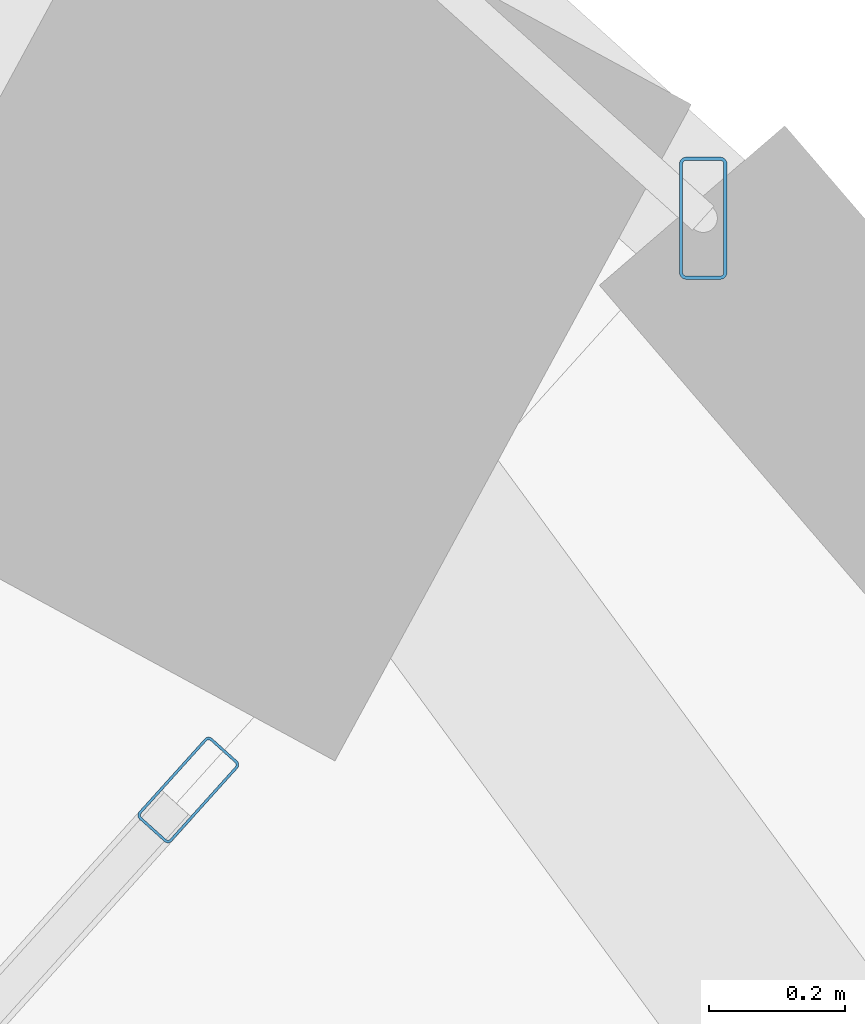
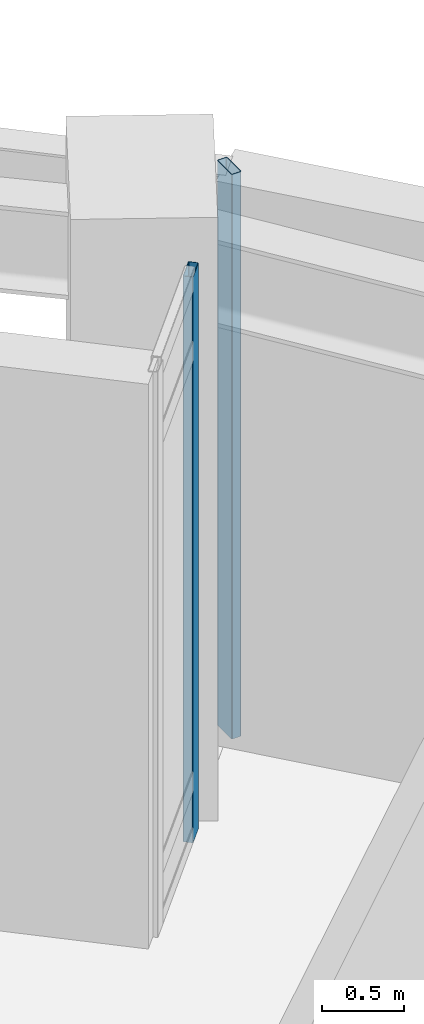
# One storey, part 8 of 19: 2 members, 1 element without a shape of its own.
"""IFC4 building model written with IfcOpenShell, lengths in metres."""

import ifcopenshell
import ifcopenshell.guid

model = None  # the IFC model being written
_history = None  # IfcOwnerHistory: only IFC2X3 demands one
_inside = {}  # id of a spatial element -> (the spatial element, [elements in it])
_under = {}  # id of a project, library or spatial element -> (it, [spatial elements below it])
_declared = {}  # id of a project -> (the project, [libraries it declares])
_typed = {}  # id of a type object -> (the type object, [elements of that type])
_made_of = {}  # id of a material, layer set ... -> (it, [elements and type objects made of it])


def new_model(schema):
    """Start an empty IFC model of exactly this schema.

    Asked for "IFC4X3", IfcOpenShell would pick the latest addendum, in which some entities
    have other attributes; the version numbers below select the first issue.
    IFC2X3 requires an IfcOwnerHistory on every rooted entity: one is made here for all.
    """
    global model, _history
    if schema == "IFC4X3":
        model = ifcopenshell.file(schema_version=(4, 3, 0, 0))
    else:
        model = ifcopenshell.file(schema=schema)
    _inside.clear()
    _under.clear()
    _declared.clear()
    _typed.clear()
    _made_of.clear()
    _history = None
    if model.schema == "IFC2X3":
        org = make("IfcOrganization", Name="unknown")
        user = make(
            "IfcPersonAndOrganization",
            ThePerson=make("IfcPerson", FamilyName="unknown"),
            TheOrganization=org,
        )
        app = make(
            "IfcApplication",
            ApplicationDeveloper=org,
            Version="unknown",
            ApplicationFullName="unknown",
            ApplicationIdentifier="unknown",
        )
        _history = make(
            "IfcOwnerHistory",
            OwningUser=user,
            OwningApplication=app,
            ChangeAction="ADDED",
            CreationDate=0,
        )
    return model


def make(cls, **values):
    """One entity of the class cls with the attributes given. An attribute that is None is left unset."""
    return model.create_entity(
        cls, **{name: value for name, value in values.items() if value is not None}
    )


def rooted(cls, **values):
    """An entity with a GlobalId (a new one), such as an element, a storey or a relation."""
    return make(cls, GlobalId=ifcopenshell.guid.new(), OwnerHistory=_history, **values)


def si_unit(unit_type, name, prefix=None):
    """IfcSIUnit, for example si_unit("LENGTHUNIT", "METRE", prefix="MILLI")."""
    return make("IfcSIUnit", UnitType=unit_type, Prefix=prefix, Name=name)


def assignment(units):
    """IfcUnitAssignment: the units of a project."""
    return None if units is None else make("IfcUnitAssignment", Units=units)


def point(xyz):
    """IfcCartesianPoint."""
    return None if xyz is None else make("IfcCartesianPoint", Coordinates=xyz)


def direction(xyz):
    """IfcDirection."""
    return None if xyz is None else make("IfcDirection", DirectionRatios=xyz)


def frame(location, z_axis=None, x_axis=None):
    """IfcAxis2Placement3D, a coordinate frame: its origin and axes. An axis left out is left unset."""
    return make(
        "IfcAxis2Placement3D",
        Location=point(location),
        Axis=direction(z_axis),
        RefDirection=direction(x_axis),
    )


def frame_2d(location, x_axis=None):
    """IfcAxis2Placement2D, a coordinate frame in the plane: its origin and x axis."""
    return make(
        "IfcAxis2Placement2D", Location=point(location), RefDirection=direction(x_axis)
    )


def origin():
    """The frame at (0, 0, 0) with its axes left unset."""
    return frame((0.0, 0.0, 0.0))


def origin_2d():
    """The frame at (0, 0) in the plane with its x axis left unset."""
    return frame_2d((0.0, 0.0))


def place(relative_to, where):
    """IfcLocalPlacement: puts the frame where relative to a parent placement (None: the world)."""
    return make(
        "IfcLocalPlacement", PlacementRelTo=relative_to, RelativePlacement=where
    )


def context(
    kind, dimensions, precision=None, world=None, true_north=None, identifier=None
):
    """IfcGeometricRepresentationContext, for example the 3D "Model" context."""
    return make(
        "IfcGeometricRepresentationContext",
        ContextIdentifier=identifier,
        ContextType=kind,
        CoordinateSpaceDimension=dimensions,
        Precision=precision,
        WorldCoordinateSystem=world,
        TrueNorth=true_north,
    )


def subcontext(parent, identifier, kind, view, scale=None):
    """IfcGeometricRepresentationSubContext, for example "Body" below "Model"."""
    return make(
        "IfcGeometricRepresentationSubContext",
        ContextIdentifier=identifier,
        ContextType=kind,
        ParentContext=parent,
        TargetScale=scale,
        TargetView=view,
    )


def project(units=None, contexts=None):
    """IfcProject with its units and contexts."""
    return rooted(
        "IfcProject",
        Name="project",
        RepresentationContexts=contexts,
        UnitsInContext=assignment(units),
    )


def spatial(cls, under=None, at=None, **own):
    """A site, building, storey or space (cls), placed at a placement, below another one or the project."""
    s = rooted(cls, ObjectPlacement=at, **own)
    if under is not None:
        _under.setdefault(under.id(), (under, []))[1].append(s)
    return s


def profile(cls, at=None, kind="AREA", **sizes):
    """A parametric profile (cls). Its sizes go by their IFC names, for example OverallWidth=200.0."""
    return make(cls, ProfileType=kind, Position=at, **sizes)


def hollow_rectangle(**sizes):
    """IfcRectangleHollowProfileDef."""
    return profile("IfcRectangleHollowProfileDef", **sizes)


def extrude(swept, where, along, depth):
    """IfcExtrudedAreaSolid: the profile swept, set in the frame where, extruded along a direction by depth."""
    return make(
        "IfcExtrudedAreaSolid",
        SweptArea=swept,
        Position=where,
        ExtrudedDirection=direction(along),
        Depth=depth,
    )


def shape(context_of_items, identifier, shape_type, items):
    """IfcShapeRepresentation: the items that make up one representation, for example the "Body"."""
    return make(
        "IfcShapeRepresentation",
        ContextOfItems=context_of_items,
        RepresentationIdentifier=identifier,
        RepresentationType=shape_type,
        Items=items,
    )


def material(Name=None, Category=None):
    """IfcMaterial."""
    return make("IfcMaterial", Name=Name, Category=Category)


def layer(
    of_material, thickness, ventilated=None, Name=None, Category=None, Priority=None
):
    """IfcMaterialLayer: one layer of a wall or slab, of a material (None: an air gap)."""
    return make(
        "IfcMaterialLayer",
        Material=of_material,
        LayerThickness=thickness,
        IsVentilated=ventilated,
        Name=Name,
        Category=Category,
        Priority=Priority,
    )


def layer_set(layers, Name=None):
    """IfcMaterialLayerSet."""
    return make("IfcMaterialLayerSet", MaterialLayers=layers, LayerSetName=Name)


def material_profile(
    of_material, cross_section, Name=None, Category=None, Priority=None
):
    """IfcMaterialProfile: a cross section and its material."""
    return make(
        "IfcMaterialProfile",
        Name=Name,
        Material=of_material,
        Profile=cross_section,
        Priority=Priority,
        Category=Category,
    )


def profile_set(profiles, Name=None, composite=None):
    """IfcMaterialProfileSet."""
    return make(
        "IfcMaterialProfileSet",
        Name=Name,
        MaterialProfiles=profiles,
        CompositeProfile=composite,
    )


def made_of(thing, what):
    """Note that an element or type object is made of a material, layer set ...; save() writes the relation."""
    if what is not None:
        _made_of.setdefault(what.id(), (what, []))[1].append(thing)
    return thing


def type_object(cls, material=None, **own):
    """A type object (cls), such as IfcWallType, which elements share."""
    return made_of(rooted(cls, **own), material)


def element(
    cls,
    number,
    at=None,
    inside=None,
    cuts=None,
    type_object=None,
    material=None,
    context=None,
    identifier="Body",
    shape_type=None,
    held_by="IfcProductDefinitionShape",
    body=None,
    shapes=None,
    **own,
):
    """One element of the class cls, such as IfcWall. Its Tag is "e" and its number.

    at: its placement. inside: the storey or other place that contains it. cuts: it is an
    opening in that element (IfcRelVoidsElement). A single representation is given by context,
    identifier, shape_type and body (its items); several are given by shapes. held_by: the class
    of the entity that holds the representations. save() writes the other relations.
    """
    e = rooted(cls, Tag="e%d" % number, ObjectPlacement=at, **own)
    if body is not None:
        shapes = [shape(context, identifier, shape_type, body)]
    if shapes is not None:
        e.Representation = make(held_by, Representations=shapes)
    if inside is not None:
        _inside.setdefault(inside.id(), (inside, []))[1].append(e)
    if cuts is not None:
        rooted(
            "IfcRelVoidsElement", RelatingBuildingElement=cuts, RelatedOpeningElement=e
        )
    if type_object is not None:
        _typed.setdefault(type_object.id(), (type_object, []))[1].append(e)
    return made_of(e, material)


def aggregate(whole, parts):
    """IfcRelAggregates: a whole, such as a stair, and the parts it consists of."""
    return rooted("IfcRelAggregates", RelatingObject=whole, RelatedObjects=parts)


def save(model, path):
    """Write the relations noted so far, then the file.

    IfcRelAggregates (storeys below a building ...), IfcRelContainedInSpatialStructure (elements
    in a storey), IfcRelDefinesByType, IfcRelAssociatesMaterial and IfcRelDeclares: one each for
    every whole, place, type object, material and project.
    """
    for whole, parts in _under.values():
        aggregate(whole, parts)
    for where, things in _inside.values():
        rooted(
            "IfcRelContainedInSpatialStructure",
            RelatedElements=things,
            RelatingStructure=where,
        )
    for kind, things in _typed.values():
        rooted("IfcRelDefinesByType", RelatedObjects=things, RelatingType=kind)
    for what, things in _made_of.values():
        rooted("IfcRelAssociatesMaterial", RelatedObjects=things, RelatingMaterial=what)
    for by, libraries in _declared.values():
        rooted("IfcRelDeclares", RelatingContext=by, RelatedDefinitions=libraries)
    model.write(path)


model = new_model("IFC4")

# Units and contexts
model_context = context("Model", 3, precision=1e-05, world=origin(), true_north=direction((0.0, 1.0)))
body_context = subcontext(model_context, "Body", "Model", "MODEL_VIEW")
ifc_project = project(units=[si_unit("LENGTHUNIT", "METRE"), si_unit("AREAUNIT", "SQUARE_METRE"), si_unit("VOLUMEUNIT", "CUBIC_METRE"), si_unit("PLANEANGLEUNIT", "RADIAN"), si_unit("MASSUNIT", "GRAM", prefix="KILO")], contexts=[model_context])

# Site, building, storey
site_placement = place(None, origin())
site = spatial("IfcSite", under=ifc_project, at=site_placement, CompositionType="ELEMENT")
building_placement = place(site_placement, origin())
building = spatial("IfcBuilding", under=site, at=building_placement, Name="Ndelora Gate Hotel", CompositionType="ELEMENT")
storey_placement = place(building_placement, frame((0.0, 0.0, 88.25)))
storey = spatial("IfcBuildingStorey", under=building, at=storey_placement, Name="L21", CompositionType="ELEMENT", Elevation=88.25)

# Curtain wall, members
ifc_material_1 = material(Name="Bronze Anodised Unitised Aluminium and Low-E Glass", Category="aluminium")
ifc_layer = layer(ifc_material_1, 0.199951171875)
ifc_layer_set = layer_set([ifc_layer], Name="Bronze Anodised Unitised Aluminium and Low-E Glass")
curtain_wall_type = type_object("IfcCurtainWallType", Name="CW-SYS-3", PredefinedType="NOTDEFINED", material=ifc_layer_set)
curtain_wall_placement = place(storey_placement, origin())
curtain_wall = element("IfcCurtainWall", 1, at=curtain_wall_placement, inside=storey, type_object=curtain_wall_type, Name="L21 Sky-Garden Loggia Side Curtain Wall CW3-1", PredefinedType="NOTDEFINED")
ifc_material_2 = material(Name="Bronze Anodised Aluminium 6063-T6", Category="aluminium")
ifc_material_profile_1 = material_profile(ifc_material_2, hollow_rectangle(XDim=0.06494140625, YDim=0.159912109375, WallThickness=0.00390625, InnerFilletRadius=0.00390625, OuterFilletRadius=0.008056640625, at=origin_2d()), Name="ALU 160x65x4")
ifc_profile_set_1 = profile_set([ifc_material_profile_1], Name="Bronze Anodised Aluminium 6063-T6")
member_type_1 = type_object("IfcMemberType", Name="MB-CW-MUL150", PredefinedType="MULLION", material=ifc_profile_set_1)
member_1_placement = place(storey_placement, frame((14.22412109375, 8.0263671875, -0.00390625), z_axis=(0.0, 0.0, 1.0), x_axis=(-0.74315844199, 0.66911548338, 0.0)))
member_1 = element("IfcMember", 2, at=member_1_placement, type_object=member_type_1, Name="CW3 mullion 2", PredefinedType="MULLION", context=body_context, shape_type="SweptSolid", body=[
    extrude(hollow_rectangle(XDim=0.06494140625, YDim=0.159912109375, WallThickness=0.00390625, InnerFilletRadius=0.00390625, OuterFilletRadius=0.008056640625, at=origin_2d()), origin(), (0.0, 0.0, 1.0), 4.218017578125),
])
ifc_material_profile_2 = material_profile(ifc_material_2, hollow_rectangle(XDim=0.070068359375, YDim=0.179931640625, WallThickness=0.0048828125, InnerFilletRadius=0.0048828125, OuterFilletRadius=0.010009765625, at=origin_2d()), Name="ALU 180x70x5")
ifc_profile_set_2 = profile_set([ifc_material_profile_2], Name="Bronze Anodised Aluminium 6063-T6")
member_type_2 = type_object("IfcMemberType", Name="MB-CW-MUL180", PredefinedType="MULLION", material=ifc_profile_set_2)
member_2_placement = place(storey_placement, frame((14.982421875, 8.868408203125, 0.0), z_axis=(0.0, 0.0, 1.0), x_axis=(1.0, 0.0, 0.0)))
member_2 = element("IfcMember", 3, at=member_2_placement, type_object=member_type_2, Name="L21 Sky-Garden Loggia Corner Mullion Post 1", PredefinedType="MULLION", context=body_context, shape_type="SweptSolid", body=[
    extrude(hollow_rectangle(XDim=0.070068359375, YDim=0.179931640625, WallThickness=0.0048828125, InnerFilletRadius=0.0048828125, OuterFilletRadius=0.010009765625, at=origin_2d()), origin(), (0.0, 0.0, 1.0), 4.2099609375),
])
aggregate(curtain_wall, [member_1, member_2])

save(model, "model.ifc")
